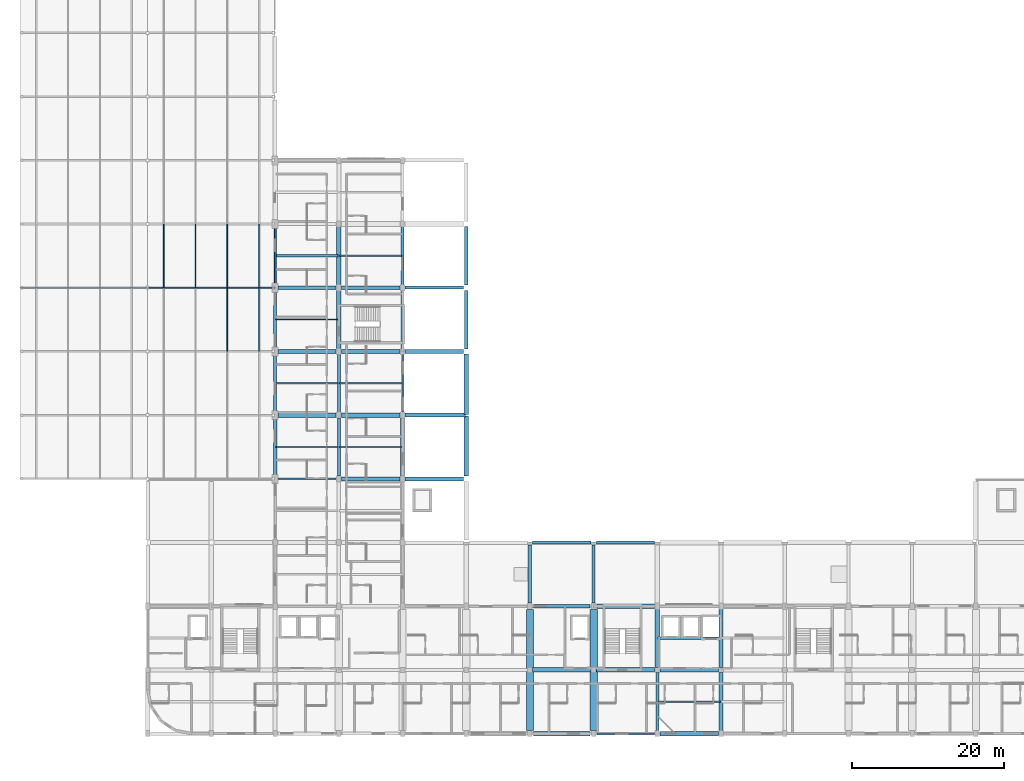
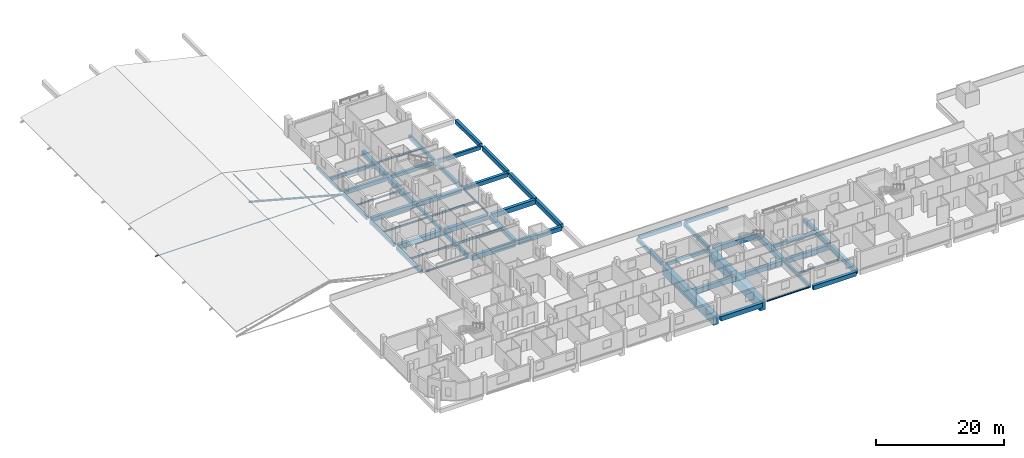
# One storey, part 4 of 42: 55 beams, 8 members.
"""IFC4 building model written with IfcOpenShell, lengths in metres."""

from ifc_helpers import new_model, si_unit, derived_unit, direction, frame, origin, origin_2d, place, context, subcontext, project, spatial, rectangle, hollow_rectangle, hollow_circle, i_section, extrude, material, material_profile, profile_set, type_object, element, save


model = new_model("IFC4")

# Units and contexts
model_context = context("Model", 3, precision=1e-05, world=origin(), true_north=direction((0.0, 1.0)))
body_context = subcontext(model_context, "Body", "Model", "MODEL_VIEW")
ifc_project = project(units=[si_unit("LENGTHUNIT", "METRE"), si_unit("AREAUNIT", "SQUARE_METRE"), si_unit("VOLUMEUNIT", "CUBIC_METRE"), si_unit("PLANEANGLEUNIT", "RADIAN"), si_unit("MASSUNIT", "GRAM", prefix="KILO"), derived_unit("THERMALTRANSMITTANCEUNIT", [(si_unit("POWERUNIT", "WATT"), 1), (si_unit("LENGTHUNIT", "METRE"), -2), (si_unit("THERMODYNAMICTEMPERATUREUNIT", "KELVIN"), -1)])], contexts=[model_context])

# Site, building, storey
site_placement = place(None, origin())
site = spatial("IfcSite", under=ifc_project, at=site_placement, CompositionType="ELEMENT")
building_placement = place(site_placement, origin())
building = spatial("IfcBuilding", under=site, at=building_placement, Name="Barrovel Congress Hotel", CompositionType="ELEMENT")
storey_placement = place(building_placement, frame((0.0, 0.0, 18.300048828125)))
storey = spatial("IfcBuildingStorey", under=building, at=storey_placement, Name="L04", CompositionType="ELEMENT", Elevation=18.300048828125)

# Beams
ifc_material_1 = material(Name="Concrete C40", Category="concrete")
ifc_material_profile_1 = material_profile(ifc_material_1, rectangle(XDim=0.25, YDim=0.5, at=origin_2d()), Name="RC250x500")
ifc_profile_set_1 = profile_set([ifc_material_profile_1], Name="Concrete C40")
beam_type_1 = type_object("IfcBeamType", Name="BM-RC250x500", PredefinedType="SPANDREL", material=ifc_profile_set_1)
beam_1_placement = place(storey_placement, frame((33.60009765625, 63.449951171875, -0.550048828125), z_axis=(0.0, 1.0, 0.0), x_axis=(-1.0, 0.0, 0.0)))
element("IfcBeam", 1, at=beam_1_placement, inside=storey, type_object=beam_type_1, Name="BMY:L04:33.6:63.0-71.4", PredefinedType="SPANDREL", context=body_context, shape_type="SweptSolid", body=[
    extrude(rectangle(XDim=0.25, YDim=0.5, at=origin_2d()), origin(), (0.0, 0.0, 1.0), 7.5),
])
ifc_material_profile_2 = material_profile(ifc_material_1, rectangle(XDim=0.35009765625, YDim=0.64990234375, at=origin_2d()), Name="RC350x650")
ifc_profile_set_2 = profile_set([ifc_material_profile_2], Name="Concrete C40")
beam_type_2 = type_object("IfcBeamType", Name="BM-RC350x650", PredefinedType="JOIST", material=ifc_profile_set_2)
for number, where, z_axis, x_axis, name in (
    (2, (33.679931640625, 67.199951171875, -0.625), (1.0, 0.0, 0.0), (0.0, 1.0, 0.0), "JST:L04:33.6:67.2"),
    (3, (84.080078125, 16.800048828125, -0.625), (1.0, 0.0, 0.0), (0.0, 1.0, 0.0), "JST:L04:84.0:16.8"),
):
    element("IfcBeam", number, at=place(storey_placement, frame(where, z_axis=z_axis, x_axis=x_axis)), inside=storey, type_object=beam_type_2, Name=name, PredefinedType="JOIST", context=body_context, shape_type="SweptSolid", body=[
        extrude(rectangle(XDim=0.35009765625, YDim=0.64990234375, at=origin_2d()), origin(), (0.0, 0.0, 1.0), 8.239990234375),
    ])
ifc_material_profile_3 = material_profile(ifc_material_1, rectangle(XDim=0.39990234375, YDim=0.60009765625, at=origin_2d()), Name="RC400x600")
ifc_profile_set_3 = profile_set([ifc_material_profile_3], Name="Concrete C40")
beam_type_3 = type_object("IfcBeamType", Name="BM-RC400x600", PredefinedType="BEAM", material=ifc_profile_set_3)
beam_2_placement = place(storey_placement, frame((67.64990234375, 21.0, -0.60009765625), z_axis=(1.0, 0.0, 0.0), x_axis=(0.0, 1.0, 0.0)))
element("IfcBeam", 4, at=beam_2_placement, inside=storey, type_object=beam_type_3, Name="BMX:L04:21.0:67.2-75.6", PredefinedType="BEAM", context=body_context, shape_type="SweptSolid", body=[
    extrude(rectangle(XDim=0.39990234375, YDim=0.60009765625, at=origin_2d()), origin(), (0.0, 0.0, 1.0), 7.5),
])
beam_3_placement = place(storey_placement, frame((75.949951171875, 29.39990234375, -0.60009765625), z_axis=(1.0, 0.0, 0.0), x_axis=(0.0, 1.0, 0.0)))
element("IfcBeam", 5, at=beam_3_placement, inside=storey, type_object=beam_type_3, Name="BMX:L04:29.4:75.6-84.0", PredefinedType="BEAM", context=body_context, shape_type="SweptSolid", body=[
    extrude(rectangle(XDim=0.39990234375, YDim=0.60009765625, at=origin_2d()), origin(), (0.0, 0.0, 1.0), 7.699951171875),
])
beam_4_placement = place(storey_placement, frame((33.60009765625, 55.050048828125, -0.60009765625), z_axis=(0.0, 1.0, 0.0), x_axis=(-1.0, 0.0, 0.0)))
element("IfcBeam", 6, at=beam_4_placement, inside=storey, type_object=beam_type_3, Name="BMY:L04:33.6:54.6-63.0", PredefinedType="BEAM", context=body_context, shape_type="SweptSolid", body=[
    extrude(rectangle(XDim=0.39990234375, YDim=0.60009765625, at=origin_2d()), origin(), (0.0, 0.0, 1.0), 7.5),
])
for number, where, z_axis, x_axis, name in (
    (7, (42.0, 46.550048828125, -0.60009765625), (0.0, 1.0, 0.0), (-1.0, 0.0, 0.0), "BMY:L04:42.0:46.2-54.6"),
    (8, (84.0, 4.550048828125, -0.60009765625), (0.0, 1.0, 0.0), (-1.0, 0.0, 0.0), "BMY:L04:84.0:4.2-12.6"),
):
    element("IfcBeam", number, at=place(storey_placement, frame(where, z_axis=z_axis, x_axis=x_axis)), inside=storey, type_object=beam_type_3, Name=name, PredefinedType="BEAM", context=body_context, shape_type="SweptSolid", body=[
        extrude(rectangle(XDim=0.39990234375, YDim=0.60009765625, at=origin_2d()), origin(), (0.0, 0.0, 1.0), 7.699951171875),
    ])
ifc_material_profile_4 = material_profile(ifc_material_1, rectangle(XDim=0.39990234375, YDim=0.699951171875, at=origin_2d()), Name="RC400x700")
ifc_profile_set_4 = profile_set([ifc_material_profile_4], Name="Concrete C40")
beam_type_4 = type_object("IfcBeamType", Name="BM-RC400x700", PredefinedType="BEAM", material=ifc_profile_set_4)
for number, where, z_axis, x_axis, name in (
    (9, (67.550048828125, 29.39990234375, -0.650146484375), (1.0, 0.0, 0.0), (0.0, 1.0, 0.0), "BMX:L04:29.4:67.2-75.6"),
    (10, (50.75, 63.0, -0.650146484375), (1.0, 0.0, 0.0), (0.0, 1.0, 0.0), "BMX:L04:63.0:50.4-58.8"),
):
    element("IfcBeam", number, at=place(storey_placement, frame(where, z_axis=z_axis, x_axis=x_axis)), inside=storey, type_object=beam_type_4, Name=name, PredefinedType="BEAM", context=body_context, shape_type="SweptSolid", body=[
        extrude(rectangle(XDim=0.39990234375, YDim=0.699951171875, at=origin_2d()), origin(), (0.0, 0.0, 1.0), 7.699951171875),
    ])
beam_5_placement = place(storey_placement, frame((33.60009765625, 46.64990234375, -0.650146484375), z_axis=(0.0, 1.0, 0.0), x_axis=(-1.0, 0.0, 0.0)))
element("IfcBeam", 11, at=beam_5_placement, inside=storey, type_object=beam_type_4, Name="BMY:L04:33.6:46.2-54.6", PredefinedType="BEAM", context=body_context, shape_type="SweptSolid", body=[
    extrude(rectangle(XDim=0.39990234375, YDim=0.699951171875, at=origin_2d()), origin(), (0.0, 0.0, 1.0), 7.5),
])
beam_6_placement = place(storey_placement, frame((42.0, 38.14990234375, -0.650146484375), z_axis=(0.0, 1.0, 0.0), x_axis=(-1.0, 0.0, 0.0)))
element("IfcBeam", 12, at=beam_6_placement, inside=storey, type_object=beam_type_4, Name="BMY:L04:42.0:37.8-46.2", PredefinedType="BEAM", context=body_context, shape_type="SweptSolid", body=[
    extrude(rectangle(XDim=0.39990234375, YDim=0.699951171875, at=origin_2d()), origin(), (0.0, 0.0, 1.0), 7.7001953125),
])
beam_7_placement = place(storey_placement, frame((50.39990234375, 63.35009765625, -0.650146484375), z_axis=(0.0, 1.0, 0.0), x_axis=(-1.0, 0.0, 0.0)))
element("IfcBeam", 13, at=beam_7_placement, inside=storey, type_object=beam_type_4, Name="BMY:L04:50.4:63.0-71.4", PredefinedType="BEAM", context=body_context, shape_type="SweptSolid", body=[
    extrude(rectangle(XDim=0.39990234375, YDim=0.699951171875, at=origin_2d()), origin(), (0.0, 0.0, 1.0), 7.699951171875),
])
beam_8_placement = place(storey_placement, frame((75.60009765625, 21.449951171875, -0.650146484375), z_axis=(0.0, 1.0, 0.0), x_axis=(-1.0, 0.0, 0.0)))
element("IfcBeam", 14, at=beam_8_placement, inside=storey, type_object=beam_type_4, Name="BMY:L04:75.6:21.0-29.4", PredefinedType="BEAM", context=body_context, shape_type="SweptSolid", body=[
    extrude(rectangle(XDim=0.39990234375, YDim=0.699951171875, at=origin_2d()), origin(), (0.0, 0.0, 1.0), 7.60009765625),
])
ifc_material_profile_5 = material_profile(ifc_material_1, rectangle(XDim=0.449951171875, YDim=0.64990234375, at=origin_2d()), Name="RC450x650")
ifc_profile_set_5 = profile_set([ifc_material_profile_5], Name="Concrete C40")
beam_type_5 = type_object("IfcBeamType", Name="BM-RC450x650", PredefinedType="BEAM", material=ifc_profile_set_5)
beam_9_placement = place(storey_placement, frame((42.35009765625, 63.0, -0.625), z_axis=(1.0, 0.0, 0.0), x_axis=(0.0, 1.0, 0.0)))
element("IfcBeam", 15, at=beam_9_placement, inside=storey, type_object=beam_type_5, Name="BMX:L04:63.0:42.0-50.4", PredefinedType="BEAM", context=body_context, shape_type="SweptSolid", body=[
    extrude(rectangle(XDim=0.449951171875, YDim=0.64990234375, at=origin_2d()), origin(), (0.0, 0.0, 1.0), 7.699951171875),
])
beam_10_placement = place(storey_placement, frame((33.60009765625, 38.25, -0.625), z_axis=(0.0, 1.0, 0.0), x_axis=(-1.0, 0.0, 0.0)))
element("IfcBeam", 16, at=beam_10_placement, inside=storey, type_object=beam_type_5, Name="BMY:L04:33.6:37.8-46.2", PredefinedType="BEAM", context=body_context, shape_type="SweptSolid", body=[
    extrude(rectangle(XDim=0.449951171875, YDim=0.64990234375, at=origin_2d()), origin(), (0.0, 0.0, 1.0), 7.5),
])
beam_11_placement = place(storey_placement, frame((50.39990234375, 54.949951171875, -0.625), z_axis=(0.0, 1.0, 0.0), x_axis=(-1.0, 0.0, 0.0)))
element("IfcBeam", 17, at=beam_11_placement, inside=storey, type_object=beam_type_5, Name="BMY:L04:50.4:54.6-63.0", PredefinedType="BEAM", context=body_context, shape_type="SweptSolid", body=[
    extrude(rectangle(XDim=0.449951171875, YDim=0.64990234375, at=origin_2d()), origin(), (0.0, 0.0, 1.0), 7.699951171875),
])
beam_12_placement = place(storey_placement, frame((67.199951171875, 21.449951171875, -0.625), z_axis=(0.0, 1.0, 0.0), x_axis=(-1.0, 0.0, 0.0)))
element("IfcBeam", 18, at=beam_12_placement, inside=storey, type_object=beam_type_5, Name="BMY:L04:67.2:21.0-29.4", PredefinedType="BEAM", context=body_context, shape_type="SweptSolid", body=[
    extrude(rectangle(XDim=0.449951171875, YDim=0.64990234375, at=origin_2d()), origin(), (0.0, 0.0, 1.0), 7.60009765625),
])
ifc_material_profile_6 = material_profile(ifc_material_1, rectangle(XDim=0.449951171875, YDim=0.75, at=origin_2d()), Name="RC450x750")
ifc_profile_set_6 = profile_set([ifc_material_profile_6], Name="Concrete C40")
beam_type_6 = type_object("IfcBeamType", Name="BM-RC450x750", PredefinedType="BEAM", material=ifc_profile_set_6)
beam_13_placement = place(storey_placement, frame((34.0, 63.0, -0.675048828125), z_axis=(1.0, 0.0, 0.0), x_axis=(0.0, 1.0, 0.0)))
element("IfcBeam", 19, at=beam_13_placement, inside=storey, type_object=beam_type_6, Name="BMX:L04:63.0:33.6-42.0", PredefinedType="BEAM", context=body_context, shape_type="SweptSolid", body=[
    extrude(rectangle(XDim=0.449951171875, YDim=0.75, at=origin_2d()), origin(), (0.0, 0.0, 1.0), 7.64990234375),
])
ifc_material_profile_7 = material_profile(ifc_material_1, rectangle(XDim=0.5, YDim=0.75, at=origin_2d()), Name="RC500x750")
ifc_profile_set_7 = profile_set([ifc_material_profile_7], Name="Concrete C40")
beam_type_7 = type_object("IfcBeamType", Name="BM-RC500x750", PredefinedType="BEAM", material=ifc_profile_set_7)
beam_14_placement = place(storey_placement, frame((50.75, 54.60009765625, -0.675048828125), z_axis=(1.0, 0.0, 0.0), x_axis=(0.0, 1.0, 0.0)))
element("IfcBeam", 20, at=beam_14_placement, inside=storey, type_object=beam_type_7, Name="BMX:L04:54.6:50.4-58.8", PredefinedType="BEAM", context=body_context, shape_type="SweptSolid", body=[
    extrude(rectangle(XDim=0.5, YDim=0.75, at=origin_2d()), origin(), (0.0, 0.0, 1.0), 7.699951171875),
])
beam_15_placement = place(storey_placement, frame((50.39990234375, 38.14990234375, -0.675048828125), z_axis=(0.0, 1.0, 0.0), x_axis=(-1.0, 0.0, 0.0)))
element("IfcBeam", 21, at=beam_15_placement, inside=storey, type_object=beam_type_7, Name="BMY:L04:50.4:37.8-46.2", PredefinedType="BEAM", context=body_context, shape_type="SweptSolid", body=[
    extrude(rectangle(XDim=0.5, YDim=0.75, at=origin_2d()), origin(), (0.0, 0.0, 1.0), 7.7001953125),
])
beam_16_placement = place(storey_placement, frame((58.800048828125, 63.35009765625, -0.675048828125), z_axis=(0.0, 1.0, 0.0), x_axis=(-1.0, 0.0, 0.0)))
element("IfcBeam", 22, at=beam_16_placement, inside=storey, type_object=beam_type_7, Name="BMY:L04:58.8:63.0-71.4", PredefinedType="BEAM", context=body_context, shape_type="SweptSolid", body=[
    extrude(rectangle(XDim=0.5, YDim=0.75, at=origin_2d()), origin(), (0.0, 0.0, 1.0), 7.699951171875),
])
ifc_material_profile_8 = material_profile(ifc_material_1, rectangle(XDim=0.5, YDim=0.85009765625, at=origin_2d()), Name="RC500x850")
ifc_profile_set_8 = profile_set([ifc_material_profile_8], Name="Concrete C40")
beam_type_8 = type_object("IfcBeamType", Name="BM-RC500x850", PredefinedType="BEAM", material=ifc_profile_set_8)
for number, where, z_axis, x_axis, name in (
    (23, (42.35009765625, 54.60009765625, -0.72509765625), (1.0, 0.0, 0.0), (0.0, 1.0, 0.0), "BMX:L04:54.6:42.0-50.4"),
    (24, (58.800048828125, 54.949951171875, -0.72509765625), (0.0, 1.0, 0.0), (-1.0, 0.0, 0.0), "BMY:L04:58.8:54.6-63.0"),
):
    element("IfcBeam", number, at=place(storey_placement, frame(where, z_axis=z_axis, x_axis=x_axis)), inside=storey, type_object=beam_type_8, Name=name, PredefinedType="BEAM", context=body_context, shape_type="SweptSolid", body=[
        extrude(rectangle(XDim=0.5, YDim=0.85009765625, at=origin_2d()), origin(), (0.0, 0.0, 1.0), 7.699951171875),
    ])
ifc_material_profile_9 = material_profile(ifc_material_1, rectangle(XDim=0.550048828125, YDim=0.800048828125, at=origin_2d()), Name="RC550x800")
ifc_profile_set_9 = profile_set([ifc_material_profile_9], Name="Concrete C40")
beam_type_9 = type_object("IfcBeamType", Name="BM-RC550x800", PredefinedType="BEAM", material=ifc_profile_set_9)
for number, where, z_axis, x_axis, name in (
    (25, (84.35009765625, 4.199951171875, -0.699951171875), (1.0, 0.0, 0.0), (0.0, 1.0, 0.0), "BMX:L04:4.2:84.0-92.4"),
    (26, (50.75, 37.800048828125, -0.699951171875), (1.0, 0.0, 0.0), (0.0, 1.0, 0.0), "BMX:L04:37.8:50.4-58.8"),
):
    element("IfcBeam", number, at=place(storey_placement, frame(where, z_axis=z_axis, x_axis=x_axis)), inside=storey, type_object=beam_type_9, Name=name, PredefinedType="BEAM", context=body_context, shape_type="SweptSolid", body=[
        extrude(rectangle(XDim=0.550048828125, YDim=0.800048828125, at=origin_2d()), origin(), (0.0, 0.0, 1.0), 7.699951171875),
    ])
beam_17_placement = place(storey_placement, frame((34.0, 54.60009765625, -0.699951171875), z_axis=(1.0, 0.0, 0.0), x_axis=(0.0, 1.0, 0.0)))
element("IfcBeam", 27, at=beam_17_placement, inside=storey, type_object=beam_type_9, Name="BMX:L04:54.6:33.6-42.0", PredefinedType="BEAM", context=body_context, shape_type="SweptSolid", body=[
    extrude(rectangle(XDim=0.550048828125, YDim=0.800048828125, at=origin_2d()), origin(), (0.0, 0.0, 1.0), 7.64990234375),
])
beam_18_placement = place(storey_placement, frame((58.800048828125, 46.3095703125, -0.699951171875), z_axis=(0.0, 1.0, 0.0), x_axis=(-1.0, 0.0, 0.0)))
element("IfcBeam", 28, at=beam_18_placement, inside=storey, type_object=beam_type_9, Name="BMY:L04:58.8:46.2-54.6", PredefinedType="BEAM", context=body_context, shape_type="SweptSolid", body=[
    extrude(rectangle(XDim=0.550048828125, YDim=0.800048828125, at=origin_2d()), origin(), (0.0, 0.0, 1.0), 7.9404296875),
])
beam_19_placement = place(storey_placement, frame((92.39990234375, 12.949951171875, -0.699951171875), z_axis=(0.0, 1.0, 0.0), x_axis=(-1.0, 0.0, 0.0)))
element("IfcBeam", 29, at=beam_19_placement, inside=storey, type_object=beam_type_9, Name="BMY:L04:92.4:12.6-21.0", PredefinedType="BEAM", context=body_context, shape_type="SweptSolid", body=[
    extrude(rectangle(XDim=0.550048828125, YDim=0.800048828125, at=origin_2d()), origin(), (0.0, 0.0, 1.0), 7.699951171875),
])
ifc_material_profile_10 = material_profile(ifc_material_1, rectangle(XDim=0.550048828125, YDim=0.89990234375, at=origin_2d()), Name="RC550x900")
ifc_profile_set_10 = profile_set([ifc_material_profile_10], Name="Concrete C40")
beam_type_10 = type_object("IfcBeamType", Name="BM-RC550x900", PredefinedType="BEAM", material=ifc_profile_set_10)
for number, where, z_axis, x_axis, name in (
    (30, (84.35009765625, 12.60009765625, -0.75), (1.0, 0.0, 0.0), (0.0, 1.0, 0.0), "BMX:L04:12.6:84.0-92.4"),
    (31, (42.35009765625, 37.800048828125, -0.75), (1.0, 0.0, 0.0), (0.0, 1.0, 0.0), "BMX:L04:37.8:42.0-50.4"),
):
    element("IfcBeam", number, at=place(storey_placement, frame(where, z_axis=z_axis, x_axis=x_axis)), inside=storey, type_object=beam_type_10, Name=name, PredefinedType="BEAM", context=body_context, shape_type="SweptSolid", body=[
        extrude(rectangle(XDim=0.550048828125, YDim=0.89990234375, at=origin_2d()), origin(), (0.0, 0.0, 1.0), 7.699951171875),
    ])
beam_20_placement = place(storey_placement, frame((50.75, 46.199951171875, -0.75), z_axis=(1.0, 0.0, 0.0), x_axis=(0.0, 1.0, 0.0)))
element("IfcBeam", 32, at=beam_20_placement, inside=storey, type_object=beam_type_10, Name="BMX:L04:46.2:50.4-58.8", PredefinedType="BEAM", context=body_context, shape_type="SweptSolid", body=[
    extrude(rectangle(XDim=0.550048828125, YDim=0.89990234375, at=origin_2d()), origin(), (0.0, 0.0, 1.0), 7.9404296875),
])
beam_21_placement = place(storey_placement, frame((58.800048828125, 38.14990234375, -0.75), z_axis=(0.0, 1.0, 0.0), x_axis=(-1.0, 0.0, 0.0)))
element("IfcBeam", 33, at=beam_21_placement, inside=storey, type_object=beam_type_10, Name="BMY:L04:58.8:37.8-46.2", PredefinedType="BEAM", context=body_context, shape_type="SweptSolid", body=[
    extrude(rectangle(XDim=0.550048828125, YDim=0.89990234375, at=origin_2d()), origin(), (0.0, 0.0, 1.0), 7.940673828125),
])
beam_22_placement = place(storey_placement, frame((92.39990234375, 4.550048828125, -0.75), z_axis=(0.0, 1.0, 0.0), x_axis=(-1.0, 0.0, 0.0)))
element("IfcBeam", 34, at=beam_22_placement, inside=storey, type_object=beam_type_10, Name="BMY:L04:92.4:4.2-12.6", PredefinedType="BEAM", context=body_context, shape_type="SweptSolid", body=[
    extrude(rectangle(XDim=0.550048828125, YDim=0.89990234375, at=origin_2d()), origin(), (0.0, 0.0, 1.0), 7.699951171875),
])
ifc_material_profile_11 = material_profile(ifc_material_1, rectangle(XDim=0.60009765625, YDim=0.85009765625, at=origin_2d()), Name="RC600x850")
ifc_profile_set_11 = profile_set([ifc_material_profile_11], Name="Concrete C40")
beam_type_11 = type_object("IfcBeamType", Name="BM-RC600x850", PredefinedType="BEAM", material=ifc_profile_set_11)
beam_23_placement = place(storey_placement, frame((67.64990234375, 4.199951171875, -0.72509765625), z_axis=(1.0, 0.0, 0.0), x_axis=(0.0, 1.0, 0.0)))
element("IfcBeam", 35, at=beam_23_placement, inside=storey, type_object=beam_type_11, Name="BMX:L04:4.2:67.2-75.6", PredefinedType="BEAM", context=body_context, shape_type="SweptSolid", body=[
    extrude(rectangle(XDim=0.60009765625, YDim=0.85009765625, at=origin_2d()), origin(), (0.0, 0.0, 1.0), 7.5),
])
for number, where, z_axis, x_axis, name in (
    (36, (75.949951171875, 12.60009765625, -0.72509765625), (1.0, 0.0, 0.0), (0.0, 1.0, 0.0), "BMX:L04:12.6:75.6-84.0"),
    (37, (42.35009765625, 46.199951171875, -0.72509765625), (1.0, 0.0, 0.0), (0.0, 1.0, 0.0), "BMX:L04:46.2:42.0-50.4"),
    (38, (42.0, 63.35009765625, -0.72509765625), (0.0, 1.0, 0.0), (-1.0, 0.0, 0.0), "BMY:L04:42.0:63.0-71.4"),
):
    element("IfcBeam", number, at=place(storey_placement, frame(where, z_axis=z_axis, x_axis=x_axis)), inside=storey, type_object=beam_type_11, Name=name, PredefinedType="BEAM", context=body_context, shape_type="SweptSolid", body=[
        extrude(rectangle(XDim=0.60009765625, YDim=0.85009765625, at=origin_2d()), origin(), (0.0, 0.0, 1.0), 7.699951171875),
    ])
ifc_material_profile_12 = material_profile(ifc_material_1, rectangle(XDim=0.60009765625, YDim=0.949951171875, at=origin_2d()), Name="RC600x950")
ifc_profile_set_12 = profile_set([ifc_material_profile_12], Name="Concrete C40")
beam_type_12 = type_object("IfcBeamType", Name="BM-RC600x950", PredefinedType="BEAM", material=ifc_profile_set_12)
beam_24_placement = place(storey_placement, frame((67.550048828125, 12.60009765625, -0.775146484375), z_axis=(1.0, 0.0, 0.0), x_axis=(0.0, 1.0, 0.0)))
element("IfcBeam", 39, at=beam_24_placement, inside=storey, type_object=beam_type_12, Name="BMX:L04:12.6:67.2-75.6", PredefinedType="BEAM", context=body_context, shape_type="SweptSolid", body=[
    extrude(rectangle(XDim=0.60009765625, YDim=0.949951171875, at=origin_2d()), origin(), (0.0, 0.0, 1.0), 7.699951171875),
])
beam_25_placement = place(storey_placement, frame((76.050048828125, 21.0, -0.775146484375), z_axis=(1.0, 0.0, 0.0), x_axis=(0.0, 1.0, 0.0)))
element("IfcBeam", 40, at=beam_25_placement, inside=storey, type_object=beam_type_12, Name="BMX:L04:21.0:75.6-84.0", PredefinedType="BEAM", context=body_context, shape_type="SweptSolid", body=[
    extrude(rectangle(XDim=0.60009765625, YDim=0.949951171875, at=origin_2d()), origin(), (0.0, 0.0, 1.0), 7.599853515625),
])
beam_26_placement = place(storey_placement, frame((34.0, 46.199951171875, -0.775146484375), z_axis=(1.0, 0.0, 0.0), x_axis=(0.0, 1.0, 0.0)))
element("IfcBeam", 41, at=beam_26_placement, inside=storey, type_object=beam_type_12, Name="BMX:L04:46.2:33.6-42.0", PredefinedType="BEAM", context=body_context, shape_type="SweptSolid", body=[
    extrude(rectangle(XDim=0.60009765625, YDim=0.949951171875, at=origin_2d()), origin(), (0.0, 0.0, 1.0), 7.64990234375),
])
for number, where, z_axis, x_axis, name in (
    (42, (42.0, 54.949951171875, -0.775146484375), (0.0, 1.0, 0.0), (-1.0, 0.0, 0.0), "BMY:L04:42.0:54.6-63.0"),
    (43, (84.0, 12.949951171875, -0.775146484375), (0.0, 1.0, 0.0), (-1.0, 0.0, 0.0), "BMY:L04:84.0:12.6-21.0"),
):
    element("IfcBeam", number, at=place(storey_placement, frame(where, z_axis=z_axis, x_axis=x_axis)), inside=storey, type_object=beam_type_12, Name=name, PredefinedType="BEAM", context=body_context, shape_type="SweptSolid", body=[
        extrude(rectangle(XDim=0.60009765625, YDim=0.949951171875, at=origin_2d()), origin(), (0.0, 0.0, 1.0), 7.699951171875),
    ])

# Members
ifc_material_2 = material(Name="Steel ASTM A500 Grade C", Category="steel")
ifc_material_profile_13 = material_profile(ifc_material_2, hollow_circle(Radius=0.05712890625, WallThickness=0.005615234375, at=origin_2d()), Name="CHS114.3x6.0")
ifc_profile_set_13 = profile_set([ifc_material_profile_13], Name="Steel ASTM A500 Grade C")
member_type_1 = type_object("IfcMemberType", Name="MEM-CHS114.3x6.0", PredefinedType="STRUT", material=ifc_profile_set_13)
member_1_placement = place(storey_placement, frame((0.0, 63.0, -0.949951171875), z_axis=(1.0, 0.0, 0.0), x_axis=(0.0, 1.0, 0.0)))
element("IfcMember", 44, at=member_1_placement, inside=storey, type_object=member_type_1, Name="V1-RAF-TIE:3", PredefinedType="STRUT", context=body_context, shape_type="SweptSolid", body=[
    extrude(hollow_circle(Radius=0.05712890625, WallThickness=0.005615234375, at=origin_2d()), origin(), (0.0, 0.0, 1.0), 33.60009765625),
])
ifc_material_profile_14 = material_profile(ifc_material_2, hollow_rectangle(XDim=0.1015625, YDim=0.203125, WallThickness=0.00732421875, InnerFilletRadius=0.00732421875, OuterFilletRadius=0.014892578125, at=origin_2d()), Name="HSS203x102x7.9")
ifc_profile_set_14 = profile_set([ifc_material_profile_14], Name="Steel ASTM A500 Grade C")
member_type_2 = type_object("IfcMemberType", Name="MEM-HSS203x102x7.9", PredefinedType="PURLIN", material=ifc_profile_set_14)
for number, where, z_axis, x_axis, name in (
    (45, (18.89990234375, 63.0, 2.9736328125), (0.0, 1.0, 0.0), (-1.0, 0.0, 0.0), "SF-PUR:4:3"),
    (46, (23.10009765625, 63.0, 1.852783203125), (0.0, 1.0, 0.0), (-1.0, 0.0, 0.0), "SF-PUR:5:3"),
    (47, (27.300048828125, 54.60009765625, 0.7314453125), (0.0, 1.0, 0.0), (-1.0, 0.0, 0.0), "SF-PUR:6:2"),
    (48, (27.300048828125, 63.0, 0.7314453125), (0.0, 1.0, 0.0), (-1.0, 0.0, 0.0), "SF-PUR:6:3"),
    (49, (31.5, 54.60009765625, -0.389404296875), (0.0, 1.0, 0.0), (-1.0, 0.0, 0.0), "SF-PUR:7:2"),
    (50, (31.5, 63.0, -0.389404296875), (0.0, 1.0, 0.0), (-1.0, 0.0, 0.0), "SF-PUR:7:3"),
):
    element("IfcMember", number, at=place(storey_placement, frame(where, z_axis=z_axis, x_axis=x_axis)), inside=storey, type_object=member_type_2, Name=name, PredefinedType="PURLIN", context=body_context, shape_type="SweptSolid", body=[
        extrude(hollow_rectangle(XDim=0.1015625, YDim=0.203125, WallThickness=0.00732421875, InnerFilletRadius=0.00732421875, OuterFilletRadius=0.014892578125, at=origin_2d()), origin(), (0.0, 0.0, 1.0), 8.39990234375),
    ])
ifc_material_3 = material(Name="Steel ASTM A992 Grade 50", Category="steel")
ifc_material_profile_15 = material_profile(ifc_material_3, i_section(OverallWidth=0.205078125, OverallDepth=0.31005859375, WebThickness=0.009521484375, FlangeThickness=0.016357421875, FilletRadius=0.012939453125, at=origin_2d()), Name="W310x74")
ifc_profile_set_15 = profile_set([ifc_material_profile_15], Name="Steel ASTM A992 Grade 50")
member_type_3 = type_object("IfcMemberType", Name="MEM-W310x74", PredefinedType="RAFTER", material=ifc_profile_set_15)
member_2_placement = place(storey_placement, frame((16.800048828125, 63.0, 3.534423828125), z_axis=(0.966172456981, 0.0, -0.257896846378), x_axis=(0.0, 1.0, 0.0)))
element("IfcMember", 51, at=member_2_placement, inside=storey, type_object=member_type_3, Name="V1-RAF-E:3", PredefinedType="RAFTER", context=body_context, shape_type="SweptSolid", body=[
    extrude(i_section(OverallWidth=0.205078125, OverallDepth=0.31005859375, WebThickness=0.009521484375, FlangeThickness=0.016357421875, FilletRadius=0.012939453125, at=origin_2d()), origin(), (0.0, 0.0, 1.0), 17.38818359375),
])

# Beams
ifc_material_profile_16 = material_profile(ifc_material_3, i_section(OverallWidth=0.201904296875, OverallDepth=0.2470703125, WebThickness=0.00732421875, FlangeThickness=0.010986328125, FilletRadius=0.011962890625, at=origin_2d()), Name="W250x49")
ifc_profile_set_16 = profile_set([ifc_material_profile_16], Name="Steel ASTM A992 Grade 50")
beam_type_13 = type_object("IfcBeamType", Name="SBM-W250x49", PredefinedType="SPANDREL", material=ifc_profile_set_16)
beam_27_placement = place(storey_placement, frame((76.050048828125, 4.199951171875, -0.423583984375), z_axis=(1.0, 0.0, 0.0), x_axis=(0.0, 1.0, 0.0)))
element("IfcBeam", 52, at=beam_27_placement, inside=storey, type_object=beam_type_13, Name="BMX:L04:4.2:75.6-84.0", PredefinedType="SPANDREL", context=body_context, shape_type="SweptSolid", body=[
    extrude(i_section(OverallWidth=0.201904296875, OverallDepth=0.2470703125, WebThickness=0.00732421875, FlangeThickness=0.010986328125, FilletRadius=0.011962890625, at=origin_2d()), origin(), (0.0, 0.0, 1.0), 7.599853515625),
])
ifc_material_profile_17 = material_profile(ifc_material_3, i_section(OverallWidth=0.1650390625, OverallDepth=0.31005859375, WebThickness=0.005859375, FlangeThickness=0.009765625, FilletRadius=0.010986328125, at=origin_2d()), Name="W310x39")
ifc_profile_set_17 = profile_set([ifc_material_profile_17], Name="Steel ASTM A992 Grade 50")
beam_type_14 = type_object("IfcBeamType", Name="SBM-W310x39", PredefinedType="JOIST", material=ifc_profile_set_17)
for number, where, z_axis, x_axis, name in (
    (53, (33.679931640625, 58.800048828125, -0.455078125), (1.0, 0.0, 0.0), (0.0, 1.0, 0.0), "JST:L04:33.6:58.8"),
    (54, (84.080078125, 8.39990234375, -0.455078125), (1.0, 0.0, 0.0), (0.0, 1.0, 0.0), "JST:L04:84.0:8.4"),
):
    element("IfcBeam", number, at=place(storey_placement, frame(where, z_axis=z_axis, x_axis=x_axis)), inside=storey, type_object=beam_type_14, Name=name, PredefinedType="JOIST", context=body_context, shape_type="SweptSolid", body=[
        extrude(i_section(OverallWidth=0.1650390625, OverallDepth=0.31005859375, WebThickness=0.005859375, FlangeThickness=0.009765625, FilletRadius=0.010986328125, at=origin_2d()), origin(), (0.0, 0.0, 1.0), 8.239990234375),
    ])
ifc_material_profile_18 = material_profile(ifc_material_3, i_section(OverallWidth=0.1669921875, OverallDepth=0.31689453125, WebThickness=0.007568359375, FlangeThickness=0.01318359375, FilletRadius=0.010986328125, at=origin_2d()), Name="W310x52")
ifc_profile_set_18 = profile_set([ifc_material_profile_18], Name="Steel ASTM A992 Grade 50")
beam_type_15 = type_object("IfcBeamType", Name="SBM-W310x52", PredefinedType="JOIST", material=ifc_profile_set_18)
beam_28_placement = place(storey_placement, frame((33.679931640625, 50.39990234375, -0.45849609375), z_axis=(1.0, 0.0, 0.0), x_axis=(0.0, 1.0, 0.0)))
element("IfcBeam", 55, at=beam_28_placement, inside=storey, type_object=beam_type_15, Name="JST:L04:33.6:50.4", PredefinedType="JOIST", context=body_context, shape_type="SweptSolid", body=[
    extrude(i_section(OverallWidth=0.1669921875, OverallDepth=0.31689453125, WebThickness=0.007568359375, FlangeThickness=0.01318359375, FilletRadius=0.010986328125, at=origin_2d()), origin(), (0.0, 0.0, 1.0), 8.239990234375),
])
ifc_material_profile_19 = material_profile(ifc_material_3, i_section(OverallWidth=0.205078125, OverallDepth=0.31005859375, WebThickness=0.009521484375, FlangeThickness=0.016357421875, FilletRadius=0.012939453125, at=origin_2d()), Name="W310x74")
ifc_profile_set_19 = profile_set([ifc_material_profile_19], Name="Steel ASTM A992 Grade 50")
beam_type_16 = type_object("IfcBeamType", Name="SBM-W310x74", PredefinedType="SPANDREL", material=ifc_profile_set_19)
beam_29_placement = place(storey_placement, frame((34.0, 37.800048828125, -0.455078125), z_axis=(1.0, 0.0, 0.0), x_axis=(0.0, 1.0, 0.0)))
element("IfcBeam", 56, at=beam_29_placement, inside=storey, type_object=beam_type_16, Name="BMX:L04:37.8:33.6-42.0", PredefinedType="SPANDREL", context=body_context, shape_type="SweptSolid", body=[
    extrude(i_section(OverallWidth=0.205078125, OverallDepth=0.31005859375, WebThickness=0.009521484375, FlangeThickness=0.016357421875, FilletRadius=0.012939453125, at=origin_2d()), origin(), (0.0, 0.0, 1.0), 7.64990234375),
])
beam_30_placement = place(storey_placement, frame((50.39990234375, 46.550048828125, -0.455078125), z_axis=(0.0, 1.0, 0.0), x_axis=(-1.0, 0.0, 0.0)))
element("IfcBeam", 57, at=beam_30_placement, inside=storey, type_object=beam_type_16, Name="BMY:L04:50.4:46.2-54.6", PredefinedType="SPANDREL", context=body_context, shape_type="SweptSolid", body=[
    extrude(i_section(OverallWidth=0.205078125, OverallDepth=0.31005859375, WebThickness=0.009521484375, FlangeThickness=0.016357421875, FilletRadius=0.012939453125, at=origin_2d()), origin(), (0.0, 0.0, 1.0), 7.699951171875),
])
ifc_material_profile_20 = material_profile(ifc_material_3, i_section(OverallWidth=0.1708984375, OverallDepth=0.35205078125, WebThickness=0.0068359375, FlangeThickness=0.009765625, FilletRadius=0.011962890625, at=origin_2d()), Name="W360x44")
ifc_profile_set_20 = profile_set([ifc_material_profile_20], Name="Steel ASTM A992 Grade 50")
beam_type_17 = type_object("IfcBeamType", Name="SBM-W360x44", PredefinedType="JOIST", material=ifc_profile_set_20)
for number, where, z_axis, x_axis, name in (
    (58, (33.679931640625, 42.0, -0.47607421875), (1.0, 0.0, 0.0), (0.0, 1.0, 0.0), "JST:L04:33.6:42.0"),
    (59, (42.080078125, 67.199951171875, -0.47607421875), (1.0, 0.0, 0.0), (0.0, 1.0, 0.0), "JST:L04:42.0:67.2"),
):
    element("IfcBeam", number, at=place(storey_placement, frame(where, z_axis=z_axis, x_axis=x_axis)), inside=storey, type_object=beam_type_17, Name=name, PredefinedType="JOIST", context=body_context, shape_type="SweptSolid", body=[
        extrude(i_section(OverallWidth=0.1708984375, OverallDepth=0.35205078125, WebThickness=0.0068359375, FlangeThickness=0.009765625, FilletRadius=0.011962890625, at=origin_2d()), origin(), (0.0, 0.0, 1.0), 8.239990234375),
    ])
ifc_material_profile_21 = material_profile(ifc_material_3, i_section(OverallWidth=0.172119140625, OverallDepth=0.35791015625, WebThickness=0.0078125, FlangeThickness=0.01318359375, FilletRadius=0.011962890625, at=origin_2d()), Name="W360x57")
ifc_profile_set_21 = profile_set([ifc_material_profile_21], Name="Steel ASTM A992 Grade 50")
beam_type_18 = type_object("IfcBeamType", Name="SBM-W360x57", PredefinedType="JOIST", material=ifc_profile_set_21)
beam_31_placement = place(storey_placement, frame((42.080078125, 50.39990234375, -0.47900390625), z_axis=(1.0, 0.0, 0.0), x_axis=(0.0, 1.0, 0.0)))
element("IfcBeam", 60, at=beam_31_placement, inside=storey, type_object=beam_type_18, Name="JST:L04:42.0:50.4", PredefinedType="JOIST", context=body_context, shape_type="SweptSolid", body=[
    extrude(i_section(OverallWidth=0.172119140625, OverallDepth=0.35791015625, WebThickness=0.0078125, FlangeThickness=0.01318359375, FilletRadius=0.011962890625, at=origin_2d()), origin(), (0.0, 0.0, 1.0), 8.239990234375),
])
ifc_material_profile_22 = material_profile(ifc_material_3, i_section(OverallWidth=0.177001953125, OverallDepth=0.403076171875, WebThickness=0.007568359375, FlangeThickness=0.010986328125, FilletRadius=0.011962890625, at=origin_2d()), Name="W410x53")
ifc_profile_set_22 = profile_set([ifc_material_profile_22], Name="Steel ASTM A992 Grade 50")
beam_type_19 = type_object("IfcBeamType", Name="SBM-W410x53", PredefinedType="JOIST", material=ifc_profile_set_22)
beam_32_placement = place(storey_placement, frame((42.080078125, 42.0, -0.50146484375), z_axis=(1.0, 0.0, 0.0), x_axis=(0.0, 1.0, 0.0)))
element("IfcBeam", 61, at=beam_32_placement, inside=storey, type_object=beam_type_19, Name="JST:L04:42.0:42.0", PredefinedType="JOIST", context=body_context, shape_type="SweptSolid", body=[
    extrude(i_section(OverallWidth=0.177001953125, OverallDepth=0.403076171875, WebThickness=0.007568359375, FlangeThickness=0.010986328125, FilletRadius=0.011962890625, at=origin_2d()), origin(), (0.0, 0.0, 1.0), 8.239990234375),
])
ifc_material_4 = material(Name="Concrete C50", Category="concrete")
ifc_material_profile_23 = material_profile(ifc_material_4, rectangle(XDim=1.0, YDim=2.0, at=origin_2d()), Name="RC1000x2000")
ifc_profile_set_23 = profile_set([ifc_material_profile_23], Name="Concrete C50")
beam_type_20 = type_object("IfcBeamType", Name="TG-RC1000x2000", PredefinedType="BEAM", material=ifc_profile_set_23)
beam_33_placement = place(storey_placement, frame((75.60009765625, 4.64990234375, -1.300048828125), z_axis=(0.0, 1.0, 0.0), x_axis=(-1.0, 0.0, 0.0)))
element("IfcBeam", 62, at=beam_33_placement, inside=storey, type_object=beam_type_20, Name="Transfer Girder TG-RC1000x2000 at Grid 75.6", PredefinedType="BEAM", context=body_context, shape_type="SweptSolid", body=[
    extrude(rectangle(XDim=1.0, YDim=2.0, at=origin_2d()), origin(), (0.0, 0.0, 1.0), 15.900146484375),
])
ifc_material_profile_24 = material_profile(ifc_material_4, rectangle(XDim=0.89990234375, YDim=1.800048828125, at=origin_2d()), Name="RC900x1800")
ifc_profile_set_24 = profile_set([ifc_material_profile_24], Name="Concrete C50")
beam_type_21 = type_object("IfcBeamType", Name="TG-RC900x1800", PredefinedType="BEAM", material=ifc_profile_set_24)
beam_34_placement = place(storey_placement, frame((67.199951171875, 4.64990234375, -1.199951171875), z_axis=(0.0, 1.0, 0.0), x_axis=(-1.0, 0.0, 0.0)))
element("IfcBeam", 63, at=beam_34_placement, inside=storey, type_object=beam_type_21, Name="Transfer Girder TG-RC900x1800 at Grid 67.2", PredefinedType="BEAM", context=body_context, shape_type="SweptSolid", body=[
    extrude(rectangle(XDim=0.89990234375, YDim=1.800048828125, at=origin_2d()), origin(), (0.0, 0.0, 1.0), 15.900146484375),
])

save(model, "model.ifc")
